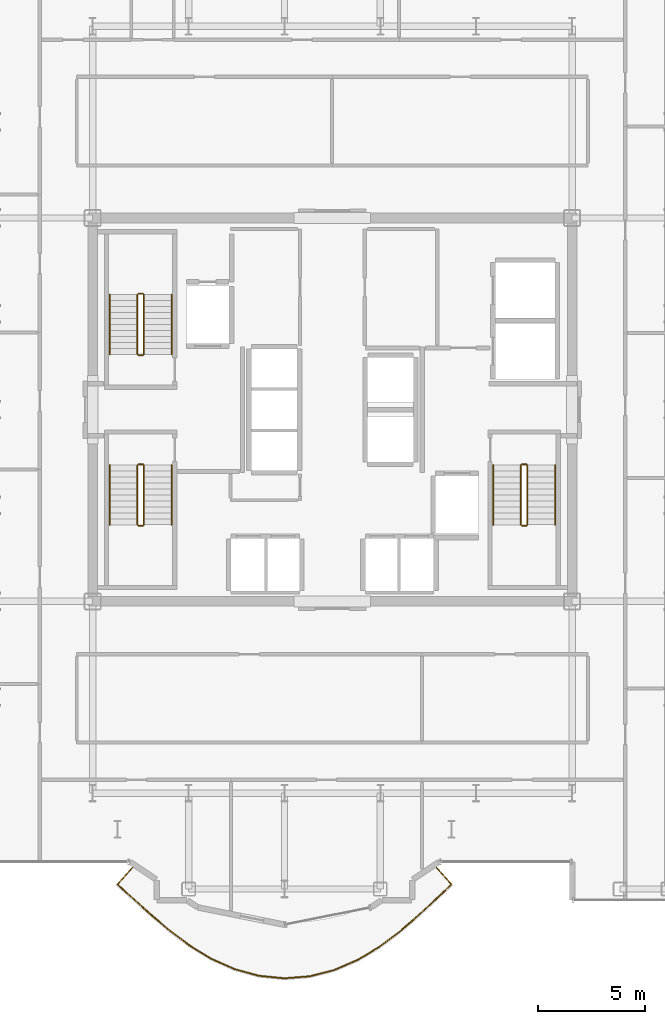
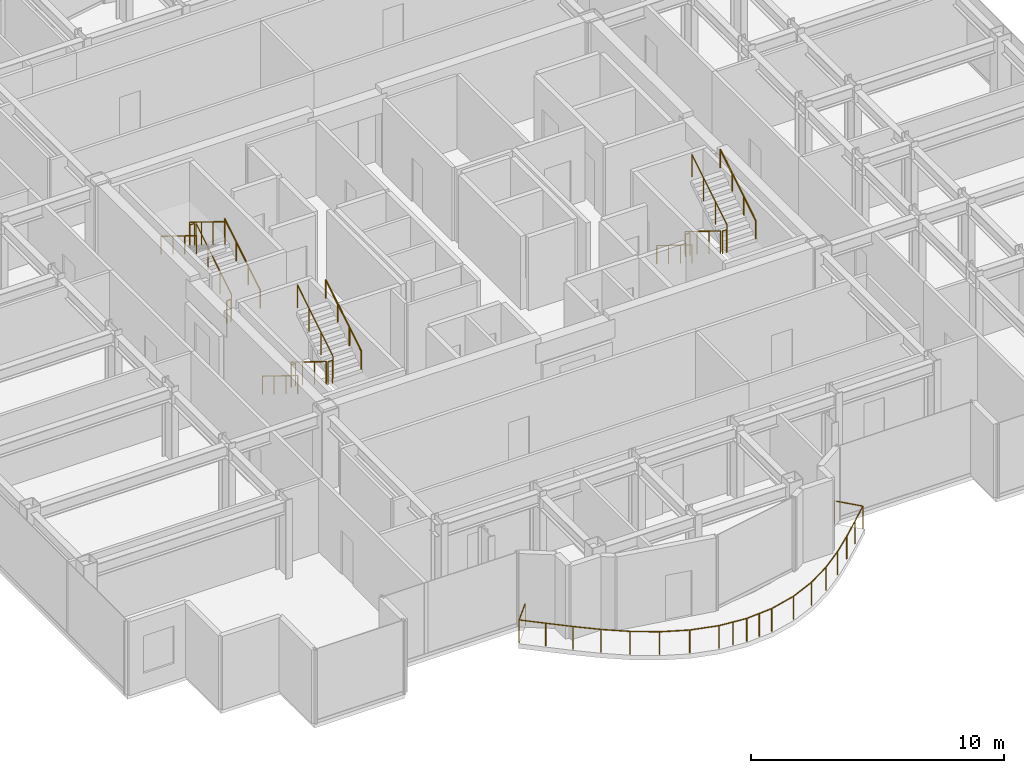
# One storey, part 19 of 20: 19 railings.
"""IFC4 building model written with IfcOpenShell, lengths in metres."""

from ifc_helpers import new_model, si_unit, direction, frame, origin, origin_2d, place, context, subcontext, project, spatial, circle, extrude, material, type_object, element, save


model = new_model("IFC4")

# Units and contexts
model_context = context("Model", 3, precision=1e-05, world=origin(), true_north=direction((0.0, 1.0)))
body_context = subcontext(model_context, "Body", "Model", "MODEL_VIEW")
ifc_project = project(units=[si_unit("LENGTHUNIT", "METRE"), si_unit("AREAUNIT", "SQUARE_METRE"), si_unit("VOLUMEUNIT", "CUBIC_METRE"), si_unit("PLANEANGLEUNIT", "RADIAN"), si_unit("MASSUNIT", "GRAM", prefix="KILO")], contexts=[model_context])

# Site, building, storey
site_placement = place(None, origin())
site = spatial("IfcSite", under=ifc_project, at=site_placement, CompositionType="ELEMENT")
building_placement = place(site_placement, origin())
building = spatial("IfcBuilding", under=site, at=building_placement, Name="Nefas-Gora Pilgrimage Tower", CompositionType="ELEMENT")
storey_placement = place(building_placement, frame((0.0, 0.0, 225.60009765625)))
storey = spatial("IfcBuildingStorey", under=building, at=storey_placement, Name="L56", CompositionType="ELEMENT", Elevation=225.60009765625)

# Railings
ifc_material_1 = material(Name="Laminated safety glass and stainless steel", Category="steel")
railing_type_1 = type_object("IfcRailingType", Name="RLG-BAL-1100", PredefinedType="BALUSTRADE", material=ifc_material_1)
railing_1_placement = place(storey_placement, frame((-9.302490234375, -21.402587890625, 0.0)))
element("IfcRailing", 1, at=railing_1_placement, inside=storey, type_object=railing_type_1, Name="L56 Wave Balcony Balustrade S2", PredefinedType="BALUSTRADE", context=body_context, shape_type="SweptSolid", body=[
    extrude(circle(Radius=0.02392578125, at=origin_2d()), frame((0.0, 0.0, 1.09619140625), z_axis=(-0.669113274241, -0.74316043102, 0.0), x_axis=(0.74316043102, -0.669113274241, 0.0)), (0.0, 0.0, 1.0), 1.180419921875),
    extrude(circle(Radius=0.02392578125, at=origin_2d()), frame((-0.789794921875, -0.877197265625, 1.09619140625), z_axis=(0.741691494507, -0.670741177337, 0.0), x_axis=(0.670741177337, 0.741691494507, 0.0)), (0.0, 0.0, 1.0), 1.0771484375),
    extrude(circle(Radius=0.02392578125, at=origin_2d()), frame((0.009033203125, -1.599609375, 1.09619140625), z_axis=(0.744512131343, -0.667608932147, 0.0), x_axis=(0.667608932147, 0.744512131343, 0.0)), (0.0, 0.0, 1.0), 1.09521484375),
    extrude(circle(Radius=0.02392578125, at=origin_2d()), frame((0.824462890625, -2.330810546875, 1.09619140625), z_axis=(0.763015425676, -0.64638027521, 0.0), x_axis=(0.64638027521, 0.763015425676, 0.0)), (0.0, 0.0, 1.0), 1.1240234375),
    extrude(circle(Radius=0.02392578125, at=origin_2d()), frame((1.68212890625, -3.057373046875, 1.09619140625), z_axis=(0.800735220579, -0.599018452574, 0.0), x_axis=(0.599018452574, 0.800735220579, 0.0)), (0.0, 0.0, 1.0), 1.154541015625),
    extrude(circle(Radius=0.02392578125, at=origin_2d()), frame((2.606689453125, -3.7490234375, 1.09619140625), z_axis=(0.853742280901, -0.520695801598, 0.0), x_axis=(0.520695801598, 0.853742280901, 0.0)), (0.0, 0.0, 1.0), 1.1787109375),
    extrude(circle(Radius=0.02392578125, at=origin_2d()), frame((3.613037109375, -4.36279296875, 1.09619140625), z_axis=(0.912533024613, -0.409003030539, 0.0), x_axis=(0.409003030539, 0.912533024613, 0.0)), (0.0, 0.0, 1.0), 1.193115234375),
    extrude(circle(Radius=0.02392578125, at=origin_2d()), frame((4.701904296875, -4.850830078125, 1.09619140625), z_axis=(0.964107720996, -0.265511397715, 0.0), x_axis=(0.265511397715, 0.964107720996, 0.0)), (0.0, 0.0, 1.0), 1.198974609375),
    extrude(circle(Radius=0.02392578125, at=origin_2d()), frame((5.85791015625, -5.169189453125, 1.09619140625), z_axis=(0.99518310835, -0.098033570044, 0.0), x_axis=(0.098033570044, 0.99518310835, 0.0)), (0.0, 0.0, 1.0), 1.200439453125),
    extrude(circle(Radius=0.02392578125, at=origin_2d()), frame((7.052490234375, -5.286865234375, 1.09619140625), z_axis=(0.996817864329, 0.079712893272, 0.0), x_axis=(-0.079712893272, 0.996817864329, 0.0)), (0.0, 0.0, 1.0), 1.20068359375),
    extrude(circle(Radius=0.02392578125, at=origin_2d()), frame((8.249267578125, -5.191162109375, 1.09619140625), z_axis=(0.96811032682, 0.250524240554, 0.0), x_axis=(-0.250524240554, 0.96811032682, 0.0)), (0.0, 0.0, 1.0), 1.19970703125),
    extrude(circle(Radius=0.02392578125, at=origin_2d()), frame((9.41064453125, -4.890625, 1.09619140625), z_axis=(0.917018073476, 0.398845650496, 0.0), x_axis=(-0.398845650496, 0.917018073476, 0.0)), (0.0, 0.0, 1.0), 1.19482421875),
    extrude(circle(Radius=0.02392578125, at=origin_2d()), frame((10.50634765625, -4.4140625, 1.09619140625), z_axis=(0.856288410146, 0.516497975455, 0.0), x_axis=(-0.516497975455, 0.856288410146, 0.0)), (0.0, 0.0, 1.0), 1.1826171875),
    extrude(circle(Radius=0.02392578125, at=origin_2d()), frame((11.51904296875, -3.80322265625, 1.09619140625), z_axis=(0.799393735848, 0.600807502522, 0.0), x_axis=(-0.600807502522, 0.799393735848, 0.0)), (0.0, 0.0, 1.0), 1.16064453125),
    extrude(circle(Radius=0.02392578125, at=origin_2d()), frame((12.44677734375, -3.10595703125, 1.09619140625), z_axis=(0.756920087297, 0.653507445593, 0.0), x_axis=(-0.653507445593, 0.756920087297, 0.0)), (0.0, 0.0, 1.0), 1.130859375),
    extrude(circle(Radius=0.02392578125, at=origin_2d()), frame((13.302734375, -2.366943359375, 1.09619140625), z_axis=(0.733756578496, 0.679412454635, 0.0), x_axis=(-0.679412454635, 0.733756578496, 0.0)), (0.0, 0.0, 1.0), 1.1005859375),
    extrude(circle(Radius=0.02392578125, at=origin_2d()), frame((14.1103515625, -1.619140625, 1.09619140625), z_axis=(0.727934382881, 0.685646799905, 0.0), x_axis=(-0.685646799905, 0.727934382881, 0.0)), (0.0, 0.0, 1.0), 1.07958984375),
    extrude(circle(Radius=0.02392578125, at=origin_2d()), frame((14.896240234375, -0.87890625, 1.09619140625), z_axis=(-0.669078780144, 0.743191486739, 0.0), x_axis=(-0.743191486739, -0.669078780144, 0.0)), (0.0, 0.0, 1.0), 1.1826171875),
    extrude(circle(Radius=0.02099609375, at=origin_2d()), origin(), (0.0, 0.0, 1.0), 1.072021484375),
    extrude(circle(Radius=0.02099609375, at=origin_2d()), frame((-0.789794921875, -0.877197265625, 0.0)), (0.0, 0.0, 1.0), 1.072021484375),
    extrude(circle(Radius=0.02099609375, at=origin_2d()), frame((0.009033203125, -1.599609375, 0.0)), (0.0, 0.0, 1.0), 1.072021484375),
    extrude(circle(Radius=0.02099609375, at=origin_2d()), frame((0.824462890625, -2.330810546875, 0.0)), (0.0, 0.0, 1.0), 1.072021484375),
    extrude(circle(Radius=0.02099609375, at=origin_2d()), frame((1.68212890625, -3.057373046875, 0.0)), (0.0, 0.0, 1.0), 1.072021484375),
    extrude(circle(Radius=0.02099609375, at=origin_2d()), frame((2.606689453125, -3.7490234375, 0.0)), (0.0, 0.0, 1.0), 1.072021484375),
    extrude(circle(Radius=0.02099609375, at=origin_2d()), frame((3.613037109375, -4.36279296875, 0.0)), (0.0, 0.0, 1.0), 1.072021484375),
    extrude(circle(Radius=0.02099609375, at=origin_2d()), frame((4.701904296875, -4.850830078125, 0.0)), (0.0, 0.0, 1.0), 1.072021484375),
    extrude(circle(Radius=0.02099609375, at=origin_2d()), frame((5.85791015625, -5.169189453125, 0.0)), (0.0, 0.0, 1.0), 1.072021484375),
    extrude(circle(Radius=0.02099609375, at=origin_2d()), frame((6.455078125, -5.22802734375, 0.0)), (0.0, 0.0, 1.0), 1.072021484375),
    extrude(circle(Radius=0.02099609375, at=origin_2d()), frame((7.052490234375, -5.286865234375, 0.0)), (0.0, 0.0, 1.0), 1.072021484375),
    extrude(circle(Radius=0.02099609375, at=origin_2d()), frame((7.65087890625, -5.239013671875, 0.0)), (0.0, 0.0, 1.0), 1.072021484375),
    extrude(circle(Radius=0.02099609375, at=origin_2d()), frame((8.249267578125, -5.191162109375, 0.0)), (0.0, 0.0, 1.0), 1.072021484375),
    extrude(circle(Radius=0.02099609375, at=origin_2d()), frame((9.41064453125, -4.890625, 0.0)), (0.0, 0.0, 1.0), 1.072021484375),
    extrude(circle(Radius=0.02099609375, at=origin_2d()), frame((10.50634765625, -4.4140625, 0.0)), (0.0, 0.0, 1.0), 1.072021484375),
    extrude(circle(Radius=0.02099609375, at=origin_2d()), frame((11.51904296875, -3.80322265625, 0.0)), (0.0, 0.0, 1.0), 1.072021484375),
    extrude(circle(Radius=0.02099609375, at=origin_2d()), frame((12.44677734375, -3.10595703125, 0.0)), (0.0, 0.0, 1.0), 1.072021484375),
    extrude(circle(Radius=0.02099609375, at=origin_2d()), frame((13.302734375, -2.366943359375, 0.0)), (0.0, 0.0, 1.0), 1.072021484375),
    extrude(circle(Radius=0.02099609375, at=origin_2d()), frame((14.1103515625, -1.619140625, 0.0)), (0.0, 0.0, 1.0), 1.072021484375),
    extrude(circle(Radius=0.02099609375, at=origin_2d()), frame((14.896240234375, -0.87890625, 0.0)), (0.0, 0.0, 1.0), 1.072021484375),
    extrude(circle(Radius=0.02099609375, at=origin_2d()), frame((14.10498046875, 0.0, 0.0)), (0.0, 0.0, 1.0), 1.072021484375),
])
ifc_material_2 = material(Name="Painted galvanised steel", Category="steel")
railing_type_2 = type_object("IfcRailingType", Name="RLG-STR-GUARD-1100", PredefinedType="GUARDRAIL", material=ifc_material_2)
railing_2_placement = place(storey_placement, frame((-8.85009765625, 2.60009765625, 0.172607421875)))
element("IfcRailing", 2, at=railing_2_placement, inside=storey, type_object=railing_type_2, Name="L56 ST-01 stair guard 1", PredefinedType="GUARDRAIL", context=body_context, shape_type="SweptSolid", body=[
    extrude(circle(Radius=0.02392578125, at=origin_2d()), frame((0.0, 0.0, 1.09619140625), z_axis=(0.0, 0.851069175582, 0.525053576669), x_axis=(-1.0, 0.0, 0.0)), (0.0, 0.0, 1.0), 3.289794921875),
    extrude(circle(Radius=0.02099609375, at=origin_2d()), origin(), (0.0, 0.0, 1.0), 1.072021484375),
    extrude(circle(Radius=0.02099609375, at=origin_2d()), frame((0.0, 0.933349609375, 0.57568359375)), (0.0, 0.0, 1.0), 1.072021484375),
    extrude(circle(Radius=0.02099609375, at=origin_2d()), frame((0.0, 1.866455078125, 1.151611328125)), (0.0, 0.0, 1.0), 1.072021484375),
    extrude(circle(Radius=0.02099609375, at=origin_2d()), frame((0.0, 2.7998046875, 1.727294921875)), (0.0, 0.0, 1.0), 1.072021484375),
])
railing_3_placement = place(storey_placement, frame((-8.89990234375, 5.449951171875, 1.89990234375)))
element("IfcRailing", 3, at=railing_3_placement, inside=storey, type_object=railing_type_2, Name="L56 ST-01 stair guard 2", PredefinedType="GUARDRAIL", context=body_context, shape_type="SweptSolid", body=[
    extrude(circle(Radius=0.02392578125, at=origin_2d()), frame((0.0, 0.0, 1.09619140625), z_axis=(-1.0, 0.0, 0.0), x_axis=(0.0, -1.0, 0.0)), (0.0, 0.0, 1.0), 0.2001953125),
    extrude(circle(Radius=0.02099609375, at=origin_2d()), origin(), (0.0, 0.0, 1.0), 1.072021484375),
    extrude(circle(Radius=0.02099609375, at=origin_2d()), frame((-0.2001953125, 0.0, 0.0)), (0.0, 0.0, 1.0), 1.072021484375),
])
railing_4_placement = place(storey_placement, frame((-9.14990234375, 5.39990234375, 2.072509765625)))
element("IfcRailing", 4, at=railing_4_placement, inside=storey, type_object=railing_type_2, Name="L56 ST-01 stair guard 3", PredefinedType="GUARDRAIL", context=body_context, shape_type="SweptSolid", body=[
    extrude(circle(Radius=0.02392578125, at=origin_2d()), frame((0.0, 0.0, 1.09619140625), z_axis=(0.0, -0.851069175582, 0.525053576669), x_axis=(1.0, 0.0, 0.0)), (0.0, 0.0, 1.0), 3.289794921875),
    extrude(circle(Radius=0.02099609375, at=origin_2d()), origin(), (0.0, 0.0, 1.0), 1.072021484375),
    extrude(circle(Radius=0.02099609375, at=origin_2d()), frame((0.0, -0.933349609375, 0.57568359375)), (0.0, 0.0, 1.0), 1.072021484375),
    extrude(circle(Radius=0.02099609375, at=origin_2d()), frame((0.0, -1.866455078125, 1.151611328125)), (0.0, 0.0, 1.0), 1.072021484375),
    extrude(circle(Radius=0.02099609375, at=origin_2d()), frame((0.0, -2.7998046875, 1.727294921875)), (0.0, 0.0, 1.0), 1.072021484375),
])
railing_5_placement = place(storey_placement, frame((-8.89990234375, 2.550048828125, 0.0)))
element("IfcRailing", 5, at=railing_5_placement, inside=storey, type_object=railing_type_2, Name="L56 ST-01 stair guard 4", PredefinedType="GUARDRAIL", context=body_context, shape_type="SweptSolid", body=[
    extrude(circle(Radius=0.02392578125, at=origin_2d()), frame((0.0, 0.0, 1.09619140625), z_axis=(-1.0, 0.0, 0.0), x_axis=(0.0, -1.0, 0.0)), (0.0, 0.0, 1.0), 0.2001953125),
    extrude(circle(Radius=0.02099609375, at=origin_2d()), origin(), (0.0, 0.0, 1.0), 1.072021484375),
    extrude(circle(Radius=0.02099609375, at=origin_2d()), frame((-0.2001953125, 0.0, 0.0)), (0.0, 0.0, 1.0), 1.072021484375),
])
railing_6_placement = place(storey_placement, frame((8.85009765625, -2.60009765625, 0.172607421875)))
element("IfcRailing", 6, at=railing_6_placement, inside=storey, type_object=railing_type_2, Name="L56 ST-02 stair guard 1", PredefinedType="GUARDRAIL", context=body_context, shape_type="SweptSolid", body=[
    extrude(circle(Radius=0.02392578125, at=origin_2d()), frame((0.0, 0.0, 1.09619140625), z_axis=(0.0, -0.851069175582, 0.525053576669), x_axis=(1.0, 0.0, 0.0)), (0.0, 0.0, 1.0), 3.289794921875),
    extrude(circle(Radius=0.02099609375, at=origin_2d()), origin(), (0.0, 0.0, 1.0), 1.072021484375),
    extrude(circle(Radius=0.02099609375, at=origin_2d()), frame((0.0, -0.933349609375, 0.57568359375)), (0.0, 0.0, 1.0), 1.072021484375),
    extrude(circle(Radius=0.02099609375, at=origin_2d()), frame((0.0, -1.866455078125, 1.151611328125)), (0.0, 0.0, 1.0), 1.072021484375),
    extrude(circle(Radius=0.02099609375, at=origin_2d()), frame((0.0, -2.7998046875, 1.727294921875)), (0.0, 0.0, 1.0), 1.072021484375),
])
railing_7_placement = place(storey_placement, frame((8.89990234375, -5.449951171875, 1.89990234375)))
element("IfcRailing", 7, at=railing_7_placement, inside=storey, type_object=railing_type_2, Name="L56 ST-02 stair guard 2", PredefinedType="GUARDRAIL", context=body_context, shape_type="SweptSolid", body=[
    extrude(circle(Radius=0.02392578125, at=origin_2d()), frame((0.0, 0.0, 1.09619140625), z_axis=(1.0, 0.0, 0.0), x_axis=(0.0, 1.0, 0.0)), (0.0, 0.0, 1.0), 0.2001953125),
    extrude(circle(Radius=0.02099609375, at=origin_2d()), origin(), (0.0, 0.0, 1.0), 1.072021484375),
    extrude(circle(Radius=0.02099609375, at=origin_2d()), frame((0.2001953125, 0.0, 0.0)), (0.0, 0.0, 1.0), 1.072021484375),
])
railing_8_placement = place(storey_placement, frame((9.14990234375, -5.39990234375, 2.072509765625)))
element("IfcRailing", 8, at=railing_8_placement, inside=storey, type_object=railing_type_2, Name="L56 ST-02 stair guard 3", PredefinedType="GUARDRAIL", context=body_context, shape_type="SweptSolid", body=[
    extrude(circle(Radius=0.02392578125, at=origin_2d()), frame((0.0, 0.0, 1.09619140625), z_axis=(0.0, 0.851069175582, 0.525053576669), x_axis=(-1.0, 0.0, 0.0)), (0.0, 0.0, 1.0), 3.289794921875),
    extrude(circle(Radius=0.02099609375, at=origin_2d()), origin(), (0.0, 0.0, 1.0), 1.072021484375),
    extrude(circle(Radius=0.02099609375, at=origin_2d()), frame((0.0, 0.933349609375, 0.57568359375)), (0.0, 0.0, 1.0), 1.072021484375),
    extrude(circle(Radius=0.02099609375, at=origin_2d()), frame((0.0, 1.866455078125, 1.151611328125)), (0.0, 0.0, 1.0), 1.072021484375),
    extrude(circle(Radius=0.02099609375, at=origin_2d()), frame((0.0, 2.7998046875, 1.727294921875)), (0.0, 0.0, 1.0), 1.072021484375),
])
railing_9_placement = place(storey_placement, frame((8.89990234375, -2.550048828125, 0.0)))
element("IfcRailing", 9, at=railing_9_placement, inside=storey, type_object=railing_type_2, Name="L56 ST-02 stair guard 4", PredefinedType="GUARDRAIL", context=body_context, shape_type="SweptSolid", body=[
    extrude(circle(Radius=0.02392578125, at=origin_2d()), frame((0.0, 0.0, 1.09619140625), z_axis=(1.0, 0.0, 0.0), x_axis=(0.0, 1.0, 0.0)), (0.0, 0.0, 1.0), 0.2001953125),
    extrude(circle(Radius=0.02099609375, at=origin_2d()), origin(), (0.0, 0.0, 1.0), 1.072021484375),
    extrude(circle(Radius=0.02099609375, at=origin_2d()), frame((0.2001953125, 0.0, 0.0)), (0.0, 0.0, 1.0), 1.072021484375),
])
railing_10_placement = place(storey_placement, frame((-9.14990234375, -2.60009765625, 0.172607421875)))
element("IfcRailing", 10, at=railing_10_placement, inside=storey, type_object=railing_type_2, Name="L56 ST-03 stair guard 1", PredefinedType="GUARDRAIL", context=body_context, shape_type="SweptSolid", body=[
    extrude(circle(Radius=0.02392578125, at=origin_2d()), frame((0.0, 0.0, 1.09619140625), z_axis=(0.0, -0.851069175582, 0.525053576669), x_axis=(1.0, 0.0, 0.0)), (0.0, 0.0, 1.0), 3.289794921875),
    extrude(circle(Radius=0.02099609375, at=origin_2d()), origin(), (0.0, 0.0, 1.0), 1.072021484375),
    extrude(circle(Radius=0.02099609375, at=origin_2d()), frame((0.0, -0.933349609375, 0.57568359375)), (0.0, 0.0, 1.0), 1.072021484375),
    extrude(circle(Radius=0.02099609375, at=origin_2d()), frame((0.0, -1.866455078125, 1.151611328125)), (0.0, 0.0, 1.0), 1.072021484375),
    extrude(circle(Radius=0.02099609375, at=origin_2d()), frame((0.0, -2.7998046875, 1.727294921875)), (0.0, 0.0, 1.0), 1.072021484375),
])
railing_11_placement = place(storey_placement, frame((-9.10009765625, -5.449951171875, 1.89990234375)))
element("IfcRailing", 11, at=railing_11_placement, inside=storey, type_object=railing_type_2, Name="L56 ST-03 stair guard 2", PredefinedType="GUARDRAIL", context=body_context, shape_type="SweptSolid", body=[
    extrude(circle(Radius=0.02392578125, at=origin_2d()), frame((0.0, 0.0, 1.09619140625), z_axis=(1.0, 0.0, 0.0), x_axis=(0.0, 1.0, 0.0)), (0.0, 0.0, 1.0), 0.2001953125),
    extrude(circle(Radius=0.02099609375, at=origin_2d()), origin(), (0.0, 0.0, 1.0), 1.072021484375),
    extrude(circle(Radius=0.02099609375, at=origin_2d()), frame((0.2001953125, 0.0, 0.0)), (0.0, 0.0, 1.0), 1.072021484375),
])
railing_12_placement = place(storey_placement, frame((-8.85009765625, -5.39990234375, 2.072509765625)))
element("IfcRailing", 12, at=railing_12_placement, inside=storey, type_object=railing_type_2, Name="L56 ST-03 stair guard 3", PredefinedType="GUARDRAIL", context=body_context, shape_type="SweptSolid", body=[
    extrude(circle(Radius=0.02392578125, at=origin_2d()), frame((0.0, 0.0, 1.09619140625), z_axis=(0.0, 0.851069175582, 0.525053576669), x_axis=(-1.0, 0.0, 0.0)), (0.0, 0.0, 1.0), 3.289794921875),
    extrude(circle(Radius=0.02099609375, at=origin_2d()), origin(), (0.0, 0.0, 1.0), 1.072021484375),
    extrude(circle(Radius=0.02099609375, at=origin_2d()), frame((0.0, 0.933349609375, 0.57568359375)), (0.0, 0.0, 1.0), 1.072021484375),
    extrude(circle(Radius=0.02099609375, at=origin_2d()), frame((0.0, 1.866455078125, 1.151611328125)), (0.0, 0.0, 1.0), 1.072021484375),
    extrude(circle(Radius=0.02099609375, at=origin_2d()), frame((0.0, 2.7998046875, 1.727294921875)), (0.0, 0.0, 1.0), 1.072021484375),
])
railing_13_placement = place(storey_placement, frame((-9.10009765625, -2.550048828125, 0.0)))
element("IfcRailing", 13, at=railing_13_placement, inside=storey, type_object=railing_type_2, Name="L56 ST-03 stair guard 4", PredefinedType="GUARDRAIL", context=body_context, shape_type="SweptSolid", body=[
    extrude(circle(Radius=0.02392578125, at=origin_2d()), frame((0.0, 0.0, 1.09619140625), z_axis=(1.0, 0.0, 0.0), x_axis=(0.0, 1.0, 0.0)), (0.0, 0.0, 1.0), 0.2001953125),
    extrude(circle(Radius=0.02099609375, at=origin_2d()), origin(), (0.0, 0.0, 1.0), 1.072021484375),
    extrude(circle(Radius=0.02099609375, at=origin_2d()), frame((0.2001953125, 0.0, 0.0)), (0.0, 0.0, 1.0), 1.072021484375),
])
ifc_material_3 = material(Name="Brushed stainless steel", Category="steel")
railing_type_3 = type_object("IfcRailingType", Name="RLG-STR-HAND-900", PredefinedType="HANDRAIL", material=ifc_material_3)
railing_14_placement = place(storey_placement, frame((-7.550048828125, 2.60009765625, 0.172607421875)))
element("IfcRailing", 14, at=railing_14_placement, inside=storey, type_object=railing_type_3, Name="L56 ST-01 stair handrail 1", PredefinedType="HANDRAIL", context=body_context, shape_type="SweptSolid", body=[
    extrude(circle(Radius=0.02392578125, at=origin_2d()), frame((0.0, 0.0, 0.8759765625), z_axis=(0.0, 0.851069175582, 0.525053576669), x_axis=(-1.0, 0.0, 0.0)), (0.0, 0.0, 1.0), 3.289794921875),
    extrude(circle(Radius=0.02099609375, at=origin_2d()), origin(), (0.0, 0.0, 1.0), 0.851806640625),
    extrude(circle(Radius=0.02099609375, at=origin_2d()), frame((0.0, 0.933349609375, 0.57568359375)), (0.0, 0.0, 1.0), 0.851806640625),
    extrude(circle(Radius=0.02099609375, at=origin_2d()), frame((0.0, 1.866455078125, 1.151611328125)), (0.0, 0.0, 1.0), 0.851806640625),
    extrude(circle(Radius=0.02099609375, at=origin_2d()), frame((0.0, 2.7998046875, 1.727294921875)), (0.0, 0.0, 1.0), 0.851806640625),
])
for number, where, name in (
    (15, (-10.449951171875, 5.39990234375, 2.072509765625), "L56 ST-01 stair handrail 2"),
    (16, (7.550048828125, -2.60009765625, 0.172607421875), "L56 ST-02 stair handrail 1"),
):
    element("IfcRailing", number, at=place(storey_placement, frame(where)), inside=storey, type_object=railing_type_3, Name=name, PredefinedType="HANDRAIL", context=body_context, shape_type="SweptSolid", body=[
        extrude(circle(Radius=0.02392578125, at=origin_2d()), frame((0.0, 0.0, 0.8759765625), z_axis=(0.0, -0.851069175582, 0.525053576669), x_axis=(1.0, 0.0, 0.0)), (0.0, 0.0, 1.0), 3.289794921875),
        extrude(circle(Radius=0.02099609375, at=origin_2d()), origin(), (0.0, 0.0, 1.0), 0.851806640625),
        extrude(circle(Radius=0.02099609375, at=origin_2d()), frame((0.0, -0.933349609375, 0.57568359375)), (0.0, 0.0, 1.0), 0.851806640625),
        extrude(circle(Radius=0.02099609375, at=origin_2d()), frame((0.0, -1.866455078125, 1.151611328125)), (0.0, 0.0, 1.0), 0.851806640625),
        extrude(circle(Radius=0.02099609375, at=origin_2d()), frame((0.0, -2.7998046875, 1.727294921875)), (0.0, 0.0, 1.0), 0.851806640625),
    ])
railing_15_placement = place(storey_placement, frame((10.449951171875, -5.39990234375, 2.072509765625)))
element("IfcRailing", 17, at=railing_15_placement, inside=storey, type_object=railing_type_3, Name="L56 ST-02 stair handrail 2", PredefinedType="HANDRAIL", context=body_context, shape_type="SweptSolid", body=[
    extrude(circle(Radius=0.02392578125, at=origin_2d()), frame((0.0, 0.0, 0.8759765625), z_axis=(0.0, 0.851069175582, 0.525053576669), x_axis=(-1.0, 0.0, 0.0)), (0.0, 0.0, 1.0), 3.289794921875),
    extrude(circle(Radius=0.02099609375, at=origin_2d()), origin(), (0.0, 0.0, 1.0), 0.851806640625),
    extrude(circle(Radius=0.02099609375, at=origin_2d()), frame((0.0, 0.933349609375, 0.57568359375)), (0.0, 0.0, 1.0), 0.851806640625),
    extrude(circle(Radius=0.02099609375, at=origin_2d()), frame((0.0, 1.866455078125, 1.151611328125)), (0.0, 0.0, 1.0), 0.851806640625),
    extrude(circle(Radius=0.02099609375, at=origin_2d()), frame((0.0, 2.7998046875, 1.727294921875)), (0.0, 0.0, 1.0), 0.851806640625),
])
railing_16_placement = place(storey_placement, frame((-10.449951171875, -2.60009765625, 0.172607421875)))
element("IfcRailing", 18, at=railing_16_placement, inside=storey, type_object=railing_type_3, Name="L56 ST-03 stair handrail 1", PredefinedType="HANDRAIL", context=body_context, shape_type="SweptSolid", body=[
    extrude(circle(Radius=0.02392578125, at=origin_2d()), frame((0.0, 0.0, 0.8759765625), z_axis=(0.0, -0.851069175582, 0.525053576669), x_axis=(1.0, 0.0, 0.0)), (0.0, 0.0, 1.0), 3.289794921875),
    extrude(circle(Radius=0.02099609375, at=origin_2d()), origin(), (0.0, 0.0, 1.0), 0.851806640625),
    extrude(circle(Radius=0.02099609375, at=origin_2d()), frame((0.0, -0.933349609375, 0.57568359375)), (0.0, 0.0, 1.0), 0.851806640625),
    extrude(circle(Radius=0.02099609375, at=origin_2d()), frame((0.0, -1.866455078125, 1.151611328125)), (0.0, 0.0, 1.0), 0.851806640625),
    extrude(circle(Radius=0.02099609375, at=origin_2d()), frame((0.0, -2.7998046875, 1.727294921875)), (0.0, 0.0, 1.0), 0.851806640625),
])
railing_17_placement = place(storey_placement, frame((-7.550048828125, -5.39990234375, 2.072509765625)))
element("IfcRailing", 19, at=railing_17_placement, inside=storey, type_object=railing_type_3, Name="L56 ST-03 stair handrail 2", PredefinedType="HANDRAIL", context=body_context, shape_type="SweptSolid", body=[
    extrude(circle(Radius=0.02392578125, at=origin_2d()), frame((0.0, 0.0, 0.8759765625), z_axis=(0.0, 0.851069175582, 0.525053576669), x_axis=(-1.0, 0.0, 0.0)), (0.0, 0.0, 1.0), 3.289794921875),
    extrude(circle(Radius=0.02099609375, at=origin_2d()), origin(), (0.0, 0.0, 1.0), 0.851806640625),
    extrude(circle(Radius=0.02099609375, at=origin_2d()), frame((0.0, 0.933349609375, 0.57568359375)), (0.0, 0.0, 1.0), 0.851806640625),
    extrude(circle(Radius=0.02099609375, at=origin_2d()), frame((0.0, 1.866455078125, 1.151611328125)), (0.0, 0.0, 1.0), 0.851806640625),
    extrude(circle(Radius=0.02099609375, at=origin_2d()), frame((0.0, 2.7998046875, 1.727294921875)), (0.0, 0.0, 1.0), 0.851806640625),
])

save(model, "model.ifc")
